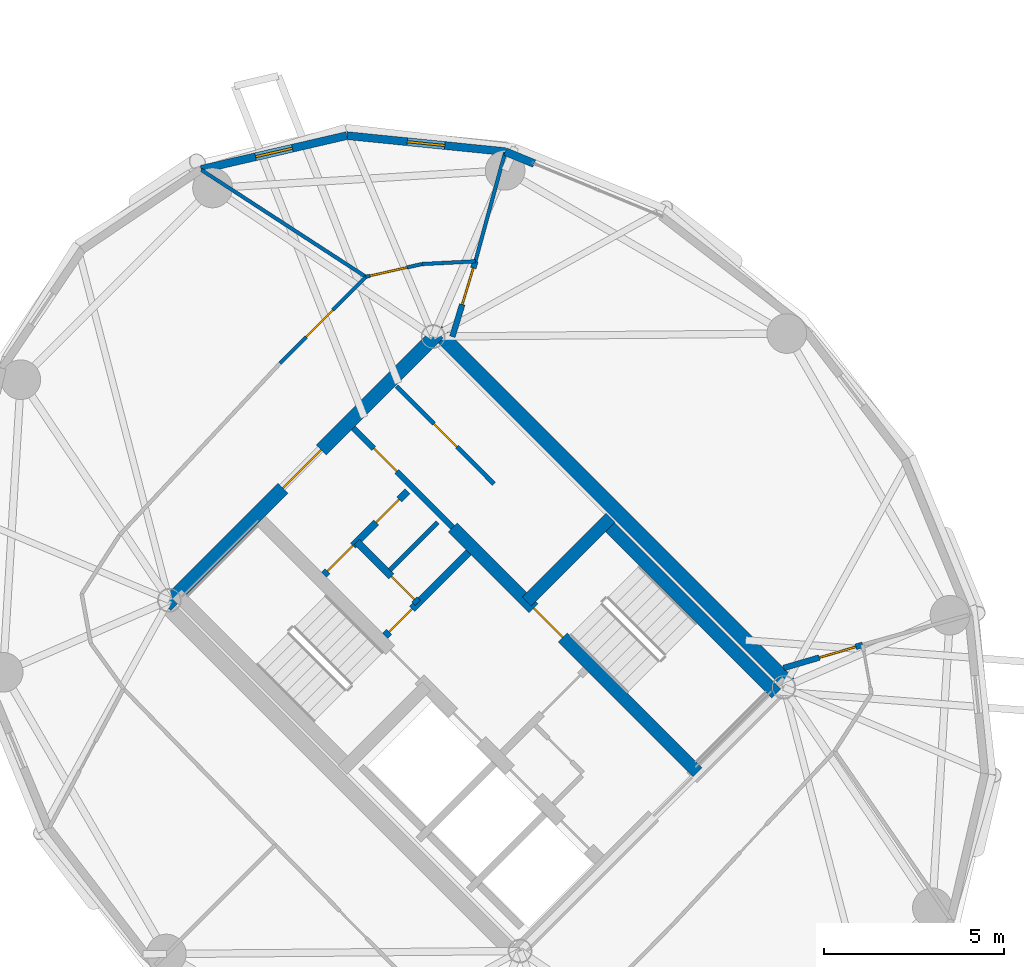
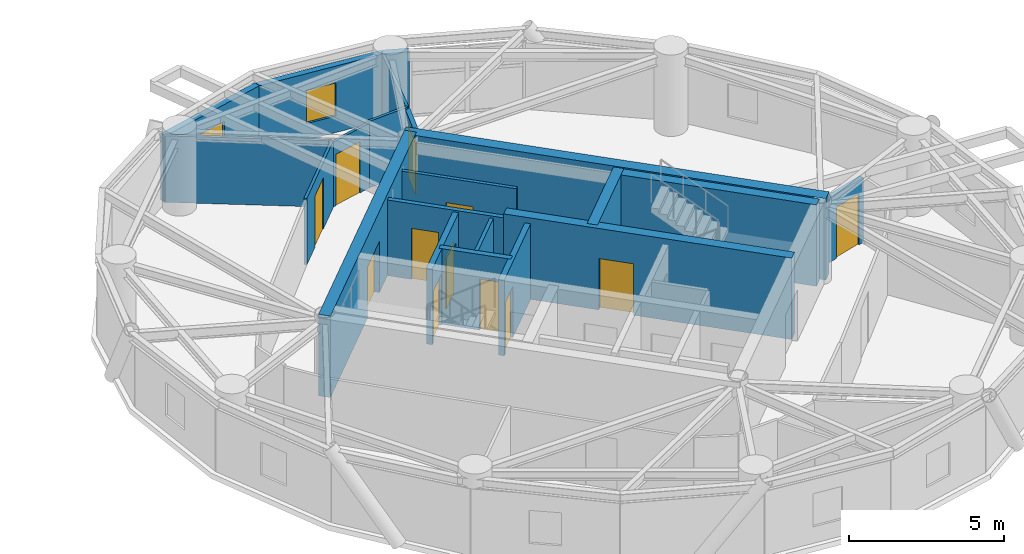
# One storey, part 12 of 15: 21 walls, 12 doors, 2 windows, 14 openings.
"""IFC4 building model written with IfcOpenShell, lengths in metres."""

from ifc_helpers import new_model, si_unit, direction, frame, frame_2d, origin, place, context, subcontext, project, spatial, rectangle, extrude, source, transform, mapped, material, layer, layer_set, type_object, element, fill, save


model = new_model("IFC4")

# Units and contexts
model_context = context("Model", 3, precision=1e-05, world=origin(), true_north=direction((0.0, 1.0)))
body_context = subcontext(model_context, "Body", "Model", "MODEL_VIEW")
ifc_project = project(units=[si_unit("LENGTHUNIT", "METRE"), si_unit("AREAUNIT", "SQUARE_METRE"), si_unit("VOLUMEUNIT", "CUBIC_METRE"), si_unit("PLANEANGLEUNIT", "RADIAN"), si_unit("MASSUNIT", "GRAM", prefix="KILO")], contexts=[model_context])

# Site, building, storey
site_placement = place(None, origin())
site = spatial("IfcSite", under=ifc_project, at=site_placement, CompositionType="ELEMENT")
building_placement = place(site_placement, origin())
building = spatial("IfcBuilding", under=site, at=building_placement, Name="Cununo Teusaquillo Station Towers", CompositionType="ELEMENT")
storey_placement = place(building_placement, frame((0.0, 0.0, 229.25)))
storey = spatial("IfcBuildingStorey", under=building, at=storey_placement, Name="L73", CompositionType="ELEMENT", Elevation=229.25)

# Wall, opening, door
ifc_material_1 = material(Name="Concrete C50/60", Category="concrete")
ifc_layer_1 = layer(ifc_material_1, 0.35009765625)
ifc_layer_set_1 = layer_set([ifc_layer_1], Name="Concrete C50/60")
wall_type_1 = type_object("IfcWallType", Name="WL-CORE-350", PredefinedType="SHEAR", material=ifc_layer_set_1)
wall_1_placement = place(storey_placement, frame((63.627197265625, 20.939697265625, 0.0), z_axis=(0.0, 0.0, 1.0), x_axis=(-0.707119496762, 0.707094065383, 0.0)))
wall_1 = element("IfcWall", 1, at=wall_1_placement, inside=storey, type_object=wall_type_1, Name="L73 Tower B Core Shear Wall IE", PredefinedType="SHEAR", context=body_context, shape_type="SweptSolid", body=[
    extrude(rectangle(XDim=9.60009765625, YDim=0.35009765625, at=frame_2d((4.800048828125, 0.0))), origin(), (0.0, 0.0, 1.0), 3.199951171875),
])
shared_shape_1 = source(origin(), body_context, "Body", "SweptSolid", [
    extrude(rectangle(XDim=1.14990234375, YDim=2.02001953125, at=frame_2d((0.574951171875, 1.010009765625))), frame((0.0, 0.18505859375, 0.0), z_axis=(0.0, -1.0, 0.0), x_axis=(1.0, 0.0, 0.0)), (0.0, 0.0, 1.0), 0.3701171875),
])
opening_1_placement = place(wall_1_placement, frame((5.280029296875, 0.0, 0.0)))
opening_1 = element("IfcOpeningElement", 2, at=opening_1_placement, cuts=wall_1, Name="Opening D-ST1", PredefinedType="OPENING", context=body_context, shape_type="MappedRepresentation", body=[
    mapped(shared_shape_1, transform((0.0, 0.0, 0.0), x_axis=(1.0, 0.0, 0.0), y_axis=(0.0, 1.0, 0.0), z_axis=(0.0, 0.0, 1.0), scale=1.0)),
])
ifc_material_2 = material(Name="Galvanised fire-rated hollow steel door assembly", Category="steel")
door_type_1 = type_object("IfcDoorType", Name="DR-STAIR-1150", OperationType="NOTDEFINED", PredefinedType="DOOR", material=ifc_material_2)
shared_shape_2 = source(origin(), body_context, "Body", "SweptSolid", [
    extrude(rectangle(XDim=1.14990234375, YDim=2.02001953125, at=frame_2d((0.574951171875, 1.010009765625))), frame((0.0, 0.02490234375, 0.0), z_axis=(0.0, -1.0, 0.0), x_axis=(1.0, 0.0, 0.0)), (0.0, 0.0, 1.0), 0.050048828125),
])
door_1_placement = place(opening_1_placement, origin())
door_1 = element("IfcDoor", 3, at=door_1_placement, inside=storey, type_object=door_type_1, Name="L73 Tower B Exit Stair 2 Fire Door", OperationType="SINGLE_SWING_LEFT", OverallHeight=2.02001953125, OverallWidth=1.14990234375, PredefinedType="DOOR", context=body_context, shape_type="MappedRepresentation", body=[
    mapped(shared_shape_2, transform((0.0, 0.0, 0.0), x_axis=(1.0, 0.0, 0.0), y_axis=(0.0, 1.0, 0.0), z_axis=(0.0, 0.0, 1.0), scale=1.0)),
])
fill(opening_1, door_1)

# Walls
wall_2_placement = place(storey_placement, frame((65.81201171875, 23.124755859375, 0.0), z_axis=(0.0, 0.0, 1.0), x_axis=(-0.707106781187, 0.707106781187, 0.0)))
element("IfcWall", 4, at=wall_2_placement, inside=storey, type_object=wall_type_1, Name="L73 Tower B Core Shear Wall ST2E", PredefinedType="SHEAR", context=body_context, shape_type="SweptSolid", body=[
    extrude(rectangle(XDim=6.695068359375, YDim=0.35009765625, at=frame_2d((3.34765625, 0.0))), origin(), (0.0, 0.0, 1.0), 3.199951171875),
])
wall_3_placement = place(storey_placement, frame((58.89306640625, 25.673828125, 0.0), z_axis=(0.0, 0.0, 1.0), x_axis=(0.707106781187, 0.707106781187, 0.0)))
element("IfcWall", 5, at=wall_3_placement, inside=storey, type_object=wall_type_1, Name="L73 Tower B Core Shear Wall ST2N", PredefinedType="SHEAR", context=body_context, shape_type="SweptSolid", body=[
    extrude(rectangle(XDim=3.284912109375, YDim=0.35009765625, at=frame_2d((1.642578125, 0.0))), origin(), (0.0, 0.0, 1.0), 3.199951171875),
])
ifc_material_3 = material(Name="Concrete C50/60", Category="concrete")
ifc_layer_2 = layer(ifc_material_3, 0.39990234375)
ifc_layer_set_2 = layer_set([ifc_layer_2], Name="Concrete C50/60")
wall_type_2 = type_object("IfcWallType", Name="WL-CORE-400", PredefinedType="SHEAR", material=ifc_layer_set_2)
wall_4_placement = place(storey_placement, frame((66.26806640625, 23.2978515625, 0.0), z_axis=(0.0, 0.0, 1.0), x_axis=(-0.707106781187, 0.707106781187, 0.0)))
element("IfcWall", 6, at=wall_4_placement, inside=storey, type_object=wall_type_2, Name="L73 Tower B Core Shear Wall E", PredefinedType="SHEAR", context=body_context, shape_type="SweptSolid", body=[
    extrude(rectangle(XDim=14.10009765625, YDim=0.39990234375, at=frame_2d((7.050048828125, 0.0))), origin(), (0.0, 0.0, 1.0), 3.199951171875),
])

# Wall, opening, door
wall_5_placement = place(storey_placement, frame((48.873291015625, 25.560791015625, 0.0), z_axis=(0.0, 0.0, 1.0), x_axis=(0.707106781187, 0.707106781187, 0.0)))
wall_5 = element("IfcWall", 7, at=wall_5_placement, inside=storey, type_object=wall_type_2, Name="L73 Tower B Core Shear Wall N", PredefinedType="SHEAR", context=body_context, shape_type="SweptSolid", body=[
    extrude(rectangle(XDim=10.69970703125, YDim=0.39990234375, at=frame_2d((5.349853515625, 0.0))), origin(), (0.0, 0.0, 1.0), 3.199951171875),
])
shared_shape_3 = source(origin(), body_context, "Body", "SweptSolid", [
    extrude(rectangle(XDim=1.5, YDim=2.02001953125, at=frame_2d((0.75, 1.010009765625))), frame((0.0, 0.2099609375, 0.0), z_axis=(0.0, -1.0, 0.0), x_axis=(1.0, 0.0, 0.0)), (0.0, 0.0, 1.0), 0.419921875),
])
opening_2_placement = place(wall_5_placement, frame((4.60009765625, 0.0, 0.0)))
opening_2 = element("IfcOpeningElement", 8, at=opening_2_placement, cuts=wall_5, Name="Opening D-LB1", PredefinedType="OPENING", context=body_context, shape_type="MappedRepresentation", body=[
    mapped(shared_shape_3, transform((0.0, 0.0, 0.0), x_axis=(1.0, 0.0, 0.0), y_axis=(0.0, 1.0, 0.0), z_axis=(0.0, 0.0, 1.0), scale=1.0)),
])
ifc_material_4 = material(Name="Galvanised fire-rated hollow steel door assembly", Category="steel")
door_type_2 = type_object("IfcDoorType", Name="DR-LOBBY-1500", OperationType="DOUBLE_DOOR_SINGLE_SWING", PredefinedType="DOOR", material=ifc_material_4)
shared_shape_4 = source(origin(), body_context, "Body", "SweptSolid", [
    extrude(rectangle(XDim=1.5, YDim=2.02001953125, at=frame_2d((0.75, 1.010009765625))), frame((0.0, 0.02490234375, 0.0), z_axis=(0.0, -1.0, 0.0), x_axis=(1.0, 0.0, 0.0)), (0.0, 0.0, 1.0), 0.050048828125),
])
door_2_placement = place(opening_2_placement, origin())
door_2 = element("IfcDoor", 9, at=door_2_placement, inside=storey, type_object=door_type_2, Name="L73 Tower B North Core Lift Lobby Door", OperationType="DOUBLE_DOOR_SINGLE_SWING", OverallHeight=2.02001953125, OverallWidth=1.5, PredefinedType="DOOR", context=body_context, shape_type="MappedRepresentation", body=[
    mapped(shared_shape_4, transform((0.0, 0.0, 0.0), x_axis=(1.0, 0.0, 0.0), y_axis=(0.0, 1.0, 0.0), z_axis=(0.0, 0.0, 1.0), scale=1.0)),
])
fill(opening_2, door_2)

# Wall
ifc_material_5 = material(Name="Precast concrete C40/50", Category="concrete")
ifc_layer_3 = layer(ifc_material_5, 0.219970703125)
ifc_layer_set_3 = layer_set([ifc_layer_3], Name="Precast concrete C40/50")
wall_type_3 = type_object("IfcWallType", Name="WL-EXT-220", PredefinedType="SOLIDWALL", material=ifc_layer_set_3)
wall_6_placement = place(storey_placement, frame((58.29541015625, 38.15478515625, 0.0), z_axis=(0.0, 0.0, 1.0), x_axis=(0.924515260676, -0.381145028536, 0.0)))
element("IfcWall", 10, at=wall_6_placement, inside=storey, type_object=wall_type_3, Name="L73 Tower B Column Pier Cladding Wall C01-PA", PredefinedType="SOLIDWALL", context=body_context, shape_type="SweptSolid", body=[
    extrude(rectangle(XDim=0.869873046875, YDim=0.219970703125, at=frame_2d((0.43505859375, 0.0))), origin(), (0.0, 0.0, 1.0), 2.612060546875),
])

# Wall, opening, window
wall_7_placement = place(storey_placement, frame((53.899658203125, 38.59912109375, 0.0), z_axis=(0.0, 0.0, 1.0), x_axis=(0.994929930991, -0.100570534541, 0.0)))
wall_7 = element("IfcWall", 11, at=wall_7_placement, inside=storey, type_object=wall_type_3, Name="L73 Tower B Exterior Facade Wall C02", PredefinedType="SOLIDWALL", context=body_context, shape_type="SweptSolid", body=[
    extrude(rectangle(XDim=4.418212890625, YDim=0.219970703125, at=frame_2d((2.208984375, 0.0))), origin(), (0.0, 0.0, 1.0), 2.612060546875),
])
shared_shape_5 = source(origin(), body_context, "Body", "SweptSolid", [
    extrude(rectangle(XDim=1.050048828125, YDim=1.300048828125, at=frame_2d((0.52490234375, 0.64990234375))), frame((0.0, 0.119873046875, 0.0), z_axis=(0.0, -1.0, 0.0), x_axis=(1.0, 0.0, 0.0)), (0.0, 0.0, 1.0), 0.239990234375),
])
opening_3_placement = place(wall_7_placement, frame((1.68408203125, 0.0, 0.64990234375)))
opening_3 = element("IfcOpeningElement", 12, at=opening_3_placement, cuts=wall_7, Name="Opening WN-04", PredefinedType="OPENING", context=body_context, shape_type="MappedRepresentation", body=[
    mapped(shared_shape_5, transform((0.0, 0.0, 0.0), x_axis=(1.0, 0.0, 0.0), y_axis=(0.0, 1.0, 0.0), z_axis=(0.0, 0.0, 1.0), scale=1.0)),
])
ifc_material_6 = material(Name="Operable acoustic tinted low-E double glazing", Category="glass")
window_type = type_object("IfcWindowType", Name="WIN-BAL-1050", PartitioningType="SINGLE_PANEL", PredefinedType="WINDOW", material=ifc_material_6)
shared_shape_6 = source(origin(), body_context, "Body", "SweptSolid", [
    extrude(rectangle(XDim=1.050048828125, YDim=1.300048828125, at=frame_2d((0.52490234375, 0.64990234375))), frame((0.0, 0.030029296875, 0.0), z_axis=(0.0, -1.0, 0.0), x_axis=(1.0, 0.0, 0.0)), (0.0, 0.0, 1.0), 0.06005859375),
])
window_1_placement = place(opening_3_placement, origin())
window_1 = element("IfcWindow", 13, at=window_1_placement, inside=storey, type_object=window_type, Name="L73 Tower B Facade Window C02", OverallHeight=1.300048828125, OverallWidth=1.050048828125, PartitioningType="SINGLE_PANEL", PredefinedType="WINDOW", context=body_context, shape_type="MappedRepresentation", body=[
    mapped(shared_shape_6, transform((0.0, 0.0, 0.0), x_axis=(1.0, 0.0, 0.0), y_axis=(0.0, 1.0, 0.0), z_axis=(0.0, 0.0, 1.0), scale=1.0)),
])
fill(opening_3, window_1)

wall_8_placement = place(storey_placement, frame((49.856201171875, 37.663330078125, 0.0), z_axis=(0.0, 0.0, 1.0), x_axis=(0.974249228678, 0.225473813158, 0.0)))
wall_8 = element("IfcWall", 14, at=wall_8_placement, inside=storey, type_object=wall_type_3, Name="L73 Tower B Exterior Facade Wall C03", PredefinedType="SOLIDWALL", context=body_context, shape_type="SweptSolid", body=[
    extrude(rectangle(XDim=4.150390625, YDim=0.219970703125, at=frame_2d((2.0751953125, 0.0))), origin(), (0.0, 0.0, 1.0), 2.612060546875),
])
opening_4_placement = place(wall_8_placement, frame((1.550048828125, 0.0, 0.64990234375)))
opening_4 = element("IfcOpeningElement", 15, at=opening_4_placement, cuts=wall_8, Name="Opening WN-04", PredefinedType="OPENING", context=body_context, shape_type="MappedRepresentation", body=[
    mapped(shared_shape_5, transform((0.0, 0.0, 0.0), x_axis=(1.0, 0.0, 0.0), y_axis=(0.0, 1.0, 0.0), z_axis=(0.0, 0.0, 1.0), scale=1.0)),
])
window_2_placement = place(opening_4_placement, origin())
window_2 = element("IfcWindow", 16, at=window_2_placement, inside=storey, type_object=window_type, Name="L73 Tower B Facade Window C03", OverallHeight=1.300048828125, OverallWidth=1.050048828125, PartitioningType="SINGLE_PANEL", PredefinedType="WINDOW", context=body_context, shape_type="MappedRepresentation", body=[
    mapped(shared_shape_6, transform((0.0, 0.0, 0.0), x_axis=(1.0, 0.0, 0.0), y_axis=(0.0, 1.0, 0.0), z_axis=(0.0, 0.0, 1.0), scale=1.0)),
])
fill(opening_4, window_2)

# Wall
ifc_material_7 = material(Name="Fire-rated gypsum plasterboard partition assembly", Category="gypsum")
ifc_layer_4 = layer(ifc_material_7, 0.10009765625)
ifc_layer_set_4 = layer_set([ifc_layer_4], Name="Fire-rated gypsum plasterboard partition assembly")
wall_type_4 = type_object("IfcWallType", Name="WL-PART-100", PredefinedType="MOVABLE", material=ifc_layer_set_4)
wall_9_placement = place(storey_placement, frame((57.466796875, 35.111328125, 0.0), z_axis=(0.0, 0.0, 1.0), x_axis=(-0.998691757323, -0.051134859488, 0.0)))
element("IfcWall", 17, at=wall_9_placement, inside=storey, type_object=wall_type_4, Name="L73 Tower B Corridor Ring Wall C02", PredefinedType="MOVABLE", context=body_context, shape_type="SweptSolid", body=[
    extrude(rectangle(XDim=1.48486328125, YDim=0.10009765625, at=frame_2d((0.742431640625, 0.0))), origin(), (0.0, 0.0, 1.0), 2.612060546875),
])

# Wall, opening, door
wall_10_placement = place(storey_placement, frame((55.98388671875, 35.035400390625, 0.0), z_axis=(0.0, 0.0, 1.0), x_axis=(-0.975290305708, -0.22092718165, 0.0)))
wall_10 = element("IfcWall", 18, at=wall_10_placement, inside=storey, type_object=wall_type_4, Name="L73 Tower B Corridor Ring Wall C03", PredefinedType="MOVABLE", context=body_context, shape_type="SweptSolid", body=[
    extrude(rectangle(XDim=1.596923828125, YDim=0.10009765625, at=frame_2d((0.79833984375, 0.0))), origin(), (0.0, 0.0, 1.0), 2.544921875),
])
shared_shape_7 = source(origin(), body_context, "Body", "SweptSolid", [
    extrude(rectangle(XDim=1.050048828125, YDim=2.014892578125, at=frame_2d((0.52490234375, 1.00732421875))), frame((0.0, 0.06005859375, 0.0), z_axis=(0.0, -1.0, 0.0), x_axis=(1.0, 0.0, 0.0)), (0.0, 0.0, 1.0), 0.1201171875),
])
opening_5_placement = place(wall_10_placement, frame((0.4267578125, 0.0, 0.0)))
opening_5 = element("IfcOpeningElement", 19, at=opening_5_placement, cuts=wall_10, Name="Opening D-SU1", PredefinedType="OPENING", context=body_context, shape_type="MappedRepresentation", body=[
    mapped(shared_shape_7, transform((0.0, 0.0, 0.0), x_axis=(1.0, 0.0, 0.0), y_axis=(0.0, 1.0, 0.0), z_axis=(0.0, 0.0, 1.0), scale=1.0)),
])
ifc_material_8 = material(Name="Acoustic solid-core hardwood leaf assembly", Category="wood")
door_type_3 = type_object("IfcDoorType", Name="DR-SUITE-1050", OperationType="NOTDEFINED", PredefinedType="DOOR", material=ifc_material_8)
shared_shape_8 = source(origin(), body_context, "Body", "SweptSolid", [
    extrude(rectangle(XDim=1.050048828125, YDim=2.014892578125, at=frame_2d((0.52490234375, 1.00732421875))), frame((0.0, 0.02490234375, 0.0), z_axis=(0.0, -1.0, 0.0), x_axis=(1.0, 0.0, 0.0)), (0.0, 0.0, 1.0), 0.050048828125),
])
door_3_placement = place(opening_5_placement, origin())
door_3 = element("IfcDoor", 20, at=door_3_placement, inside=storey, type_object=door_type_3, Name="L73 Tower B Observatory Ticket & Audio Desk Entrance Door", OperationType="SINGLE_SWING_LEFT", OverallHeight=2.014892578125, OverallWidth=1.050048828125, PredefinedType="DOOR", context=body_context, shape_type="MappedRepresentation", body=[
    mapped(shared_shape_8, transform((0.0, 0.0, 0.0), x_axis=(1.0, 0.0, 0.0), y_axis=(0.0, 1.0, 0.0), z_axis=(0.0, 0.0, 1.0), scale=1.0)),
])
fill(opening_5, door_3)

wall_11_placement = place(storey_placement, frame((54.426513671875, 34.6826171875, 0.0), z_axis=(0.0, 0.0, 1.0), x_axis=(-0.704178989986, -0.710022499687, 0.0)))
wall_11 = element("IfcWall", 21, at=wall_11_placement, inside=storey, type_object=wall_type_4, Name="L73 Tower B Corridor Ring Wall C04", PredefinedType="MOVABLE", context=body_context, shape_type="SweptSolid", body=[
    extrude(rectangle(XDim=3.38427734375, YDim=0.10009765625, at=frame_2d((1.692138671875, 0.0))), origin(), (0.0, 0.0, 1.0), 2.612060546875),
])
opening_6_placement = place(wall_11_placement, frame((1.2978515625, 0.0, 0.0)))
opening_6 = element("IfcOpeningElement", 22, at=opening_6_placement, cuts=wall_11, Name="Opening D-SU1", PredefinedType="OPENING", context=body_context, shape_type="MappedRepresentation", body=[
    mapped(shared_shape_7, transform((0.0, 0.0, 0.0), x_axis=(1.0, 0.0, 0.0), y_axis=(0.0, 1.0, 0.0), z_axis=(0.0, 0.0, 1.0), scale=1.0)),
])
door_4_placement = place(opening_6_placement, origin())
door_4 = element("IfcDoor", 23, at=door_4_placement, inside=storey, type_object=door_type_3, Name="L73 Tower B North Bogota Sabana Viewing Gallery Entrance Door", OperationType="SINGLE_SWING_RIGHT", OverallHeight=2.014892578125, OverallWidth=1.050048828125, PredefinedType="DOOR", context=body_context, shape_type="MappedRepresentation", body=[
    mapped(shared_shape_8, transform((0.0, 0.0, 0.0), x_axis=(1.0, 0.0, 0.0), y_axis=(0.0, 1.0, 0.0), z_axis=(0.0, 0.0, 1.0), scale=1.0)),
])
fill(opening_6, door_4)

# Walls
wall_12_placement = place(storey_placement, frame((57.466796875, 35.111328125, 0.0), z_axis=(0.0, 0.0, 1.0), x_axis=(0.263354670488, 0.964699081337, 0.0)))
element("IfcWall", 24, at=wall_12_placement, inside=storey, type_object=wall_type_4, Name="L73 Tower B Radial Suite Partition R01", PredefinedType="MOVABLE", context=body_context, shape_type="SweptSolid", body=[
    extrude(rectangle(XDim=3.13427734375, YDim=0.10009765625, at=frame_2d((1.567138671875, 0.0))), origin(), (0.0, 0.0, 1.0), 2.612060546875),
])
wall_13_placement = place(storey_placement, frame((54.426513671875, 34.6826171875, 0.0), z_axis=(0.0, 0.0, 1.0), x_axis=(-0.83860663594, 0.544737469023, 0.0)))
element("IfcWall", 25, at=wall_13_placement, inside=storey, type_object=wall_type_4, Name="L73 Tower B Radial Suite Partition R02", PredefinedType="MOVABLE", context=body_context, shape_type="SweptSolid", body=[
    extrude(rectangle(XDim=5.439208984375, YDim=0.10009765625, at=frame_2d((2.7197265625, 0.0))), origin(), (0.0, 0.0, 1.0), 2.612060546875),
])
ifc_material_9 = material(Name="Fire-rated gypsum plasterboard partition assembly", Category="gypsum")
ifc_layer_5 = layer(ifc_material_9, 0.125)
ifc_layer_set_5 = layer_set([ifc_layer_5], Name="Fire-rated gypsum plasterboard partition assembly")
wall_type_5 = type_object("IfcWallType", Name="WL-PART-125", PredefinedType="PARTITIONING", material=ifc_layer_set_5)
wall_14_placement = place(storey_placement, frame((55.0888671875, 26.54345703125, 0.0), z_axis=(0.0, 0.0, 1.0), x_axis=(0.707106781187, 0.707106781187, 0.0)))
element("IfcWall", 26, at=wall_14_placement, inside=storey, type_object=wall_type_5, Name="L73 Tower B Core Horizontal Split Wall", PredefinedType="PARTITIONING", context=body_context, shape_type="SweptSolid", body=[
    extrude(rectangle(XDim=1.8798828125, YDim=0.125, at=frame_2d((0.93994140625, 0.0))), origin(), (0.0, 0.0, 1.0), 2.97509765625),
])

# Wall, opening, door
wall_15_placement = place(storey_placement, frame((57.980712890625, 28.940673828125, 0.0), z_axis=(0.0, 0.0, 1.0), x_axis=(-0.707074823725, 0.707138737204, 0.0)))
wall_15 = element("IfcWall", 27, at=wall_15_placement, inside=storey, type_object=wall_type_5, Name="L73 Tower B Reclaimed Bay Vertical Split Wall", PredefinedType="PARTITIONING", context=body_context, shape_type="SweptSolid", body=[
    extrude(rectangle(XDim=3.81982421875, YDim=0.125, at=frame_2d((1.909912109375, 0.0))), origin(), (0.0, 0.0, 1.0), 2.97509765625),
])
shared_shape_9 = source(origin(), body_context, "Body", "SweptSolid", [
    extrude(rectangle(XDim=0.89990234375, YDim=2.0048828125, at=frame_2d((0.449951171875, 1.00244140625))), frame((0.0, 0.072509765625, 0.0), z_axis=(0.0, -1.0, 0.0), x_axis=(1.0, 0.0, 0.0)), (0.0, 0.0, 1.0), 0.14501953125),
])
opening_7_placement = place(wall_15_placement, frame((1.449951171875, 0.0, 0.0)))
opening_7 = element("IfcOpeningElement", 28, at=opening_7_placement, cuts=wall_15, Name="Opening D-IN1", PredefinedType="OPENING", context=body_context, shape_type="MappedRepresentation", body=[
    mapped(shared_shape_9, transform((0.0, 0.0, 0.0), x_axis=(1.0, 0.0, 0.0), y_axis=(0.0, 1.0, 0.0), z_axis=(0.0, 0.0, 1.0), scale=1.0)),
])
ifc_material_10 = material(Name="Acoustic solid-core hardwood leaf assembly", Category="wood")
door_type_4 = type_object("IfcDoorType", Name="DR-INT-900", OperationType="NOTDEFINED", PredefinedType="DOOR", material=ifc_material_10)
shared_shape_10 = source(origin(), body_context, "Body", "SweptSolid", [
    extrude(rectangle(XDim=0.89990234375, YDim=2.0048828125, at=frame_2d((0.449951171875, 1.00244140625))), frame((0.0, 0.02490234375, 0.0), z_axis=(0.0, -1.0, 0.0), x_axis=(1.0, 0.0, 0.0)), (0.0, 0.0, 1.0), 0.050048828125),
])
door_5_placement = place(opening_7_placement, origin())
door_5 = element("IfcDoor", 29, at=door_5_placement, inside=storey, type_object=door_type_4, Name="L73 Tower B Reclaimed Acoustic Booth Door", OperationType="SINGLE_SWING_RIGHT", OverallHeight=2.0048828125, OverallWidth=0.89990234375, PredefinedType="DOOR", context=body_context, shape_type="MappedRepresentation", body=[
    mapped(shared_shape_10, transform((0.0, 0.0, 0.0), x_axis=(1.0, 0.0, 0.0), y_axis=(0.0, 1.0, 0.0), z_axis=(0.0, 0.0, 1.0), scale=1.0)),
])
fill(opening_7, door_5)

ifc_material_11 = material(Name="Fire-rated gypsum plasterboard partition assembly", Category="gypsum")
ifc_layer_6 = layer(ifc_material_11, 0.159912109375)
ifc_layer_set_6 = layer_set([ifc_layer_6], Name="Fire-rated gypsum plasterboard partition assembly")
wall_type_6 = type_object("IfcWallType", Name="WL-PART-160", PredefinedType="PARTITIONING", material=ifc_layer_set_6)
wall_16_placement = place(storey_placement, frame((56.8388671875, 27.727783203125, 0.0), z_axis=(0.0, 0.0, 1.0), x_axis=(-0.707106781187, 0.707106781187, 0.0)))
wall_16 = element("IfcWall", 30, at=wall_16_placement, inside=storey, type_object=wall_type_6, Name="L73 Tower B Reclaimed Core Bay Entry Wall", PredefinedType="PARTITIONING", context=body_context, shape_type="SweptSolid", body=[
    extrude(rectangle(XDim=3.900146484375, YDim=0.159912109375, at=frame_2d((1.9501953125, 0.0))), origin(), (0.0, 0.0, 1.0), 2.97509765625),
])
shared_shape_11 = source(origin(), body_context, "Body", "SweptSolid", [
    extrude(rectangle(XDim=0.89990234375, YDim=2.0048828125, at=frame_2d((0.449951171875, 1.00244140625))), frame((0.0, 0.08984375, 0.0), z_axis=(0.0, -1.0, 0.0), x_axis=(1.0, 0.0, 0.0)), (0.0, 0.0, 1.0), 0.179931640625),
])
opening_8_placement = place(wall_16_placement, frame((2.199951171875, 0.0, 0.0)))
opening_8 = element("IfcOpeningElement", 31, at=opening_8_placement, cuts=wall_16, Name="Opening D-IN1", PredefinedType="OPENING", context=body_context, shape_type="MappedRepresentation", body=[
    mapped(shared_shape_11, transform((0.0, 0.0, 0.0), x_axis=(1.0, 0.0, 0.0), y_axis=(0.0, 1.0, 0.0), z_axis=(0.0, 0.0, 1.0), scale=1.0)),
])
door_6_placement = place(opening_8_placement, origin())
door_6 = element("IfcDoor", 32, at=door_6_placement, inside=storey, type_object=door_type_4, Name="L73 Tower B Reclaimed Meeting Room Door", OperationType="SINGLE_SWING_LEFT", OverallHeight=2.0048828125, OverallWidth=0.89990234375, PredefinedType="DOOR", context=body_context, shape_type="MappedRepresentation", body=[
    mapped(shared_shape_10, transform((0.0, 0.0, 0.0), x_axis=(1.0, 0.0, 0.0), y_axis=(0.0, 1.0, 0.0), z_axis=(0.0, 0.0, 1.0), scale=1.0)),
])
fill(opening_8, door_6)

wall_17_placement = place(storey_placement, frame((56.828125, 33.0205078125, 0.0), z_axis=(0.0, 0.0, 1.0), x_axis=(0.292139093972, 0.956375841274, 0.0)))
wall_17 = element("IfcWall", 33, at=wall_17_placement, inside=storey, type_object=wall_type_6, Name="L73 Tower B East Salon Corridor Portal Wall NE", PredefinedType="PARTITIONING", context=body_context, shape_type="SweptSolid", body=[
    extrude(rectangle(XDim=2.186279296875, YDim=0.159912109375, at=frame_2d((1.09326171875, 0.0))), origin(), (0.0, 0.0, 1.0), 2.544921875),
])
shared_shape_12 = source(origin(), body_context, "Body", "SweptSolid", [
    extrude(rectangle(XDim=1.050048828125, YDim=2.014892578125, at=frame_2d((0.52490234375, 1.00732421875))), frame((0.0, 0.08984375, 0.0), z_axis=(0.0, -1.0, 0.0), x_axis=(1.0, 0.0, 0.0)), (0.0, 0.0, 1.0), 0.179931640625),
])
opening_9_placement = place(wall_17_placement, frame((0.93603515625, 0.0, 0.0)))
opening_9 = element("IfcOpeningElement", 34, at=opening_9_placement, cuts=wall_17, Name="Opening D-SU1", PredefinedType="OPENING", context=body_context, shape_type="MappedRepresentation", body=[
    mapped(shared_shape_12, transform((0.0, 0.0, 0.0), x_axis=(1.0, 0.0, 0.0), y_axis=(0.0, 1.0, 0.0), z_axis=(0.0, 0.0, 1.0), scale=1.0)),
])
door_7_placement = place(opening_9_placement, origin())
door_7 = element("IfcDoor", 35, at=door_7_placement, inside=storey, type_object=door_type_3, Name="L73 Tower B East Panorama Sky Salon Door NE", OperationType="SINGLE_SWING_LEFT", OverallHeight=2.014892578125, OverallWidth=1.050048828125, PredefinedType="DOOR", context=body_context, shape_type="MappedRepresentation", body=[
    mapped(shared_shape_8, transform((0.0, 0.0, 0.0), x_axis=(1.0, 0.0, 0.0), y_axis=(0.0, 1.0, 0.0), z_axis=(0.0, 0.0, 1.0), scale=1.0)),
])
fill(opening_9, door_7)

wall_18_placement = place(storey_placement, frame((66.0205078125, 23.828125, 0.0), z_axis=(0.0, 0.0, 1.0), x_axis=(0.959727558294, 0.280932400856, 0.0)))
wall_18 = element("IfcWall", 36, at=wall_18_placement, inside=storey, type_object=wall_type_6, Name="L73 Tower B East Salon Corridor Portal Wall SE", PredefinedType="PARTITIONING", context=body_context, shape_type="SweptSolid", body=[
    extrude(rectangle(XDim=2.281982421875, YDim=0.159912109375, at=frame_2d((1.14111328125, 0.0))), origin(), (0.0, 0.0, 1.0), 2.544921875),
])
opening_10_placement = place(wall_18_placement, frame((1.031982421875, 0.0, 0.0)))
opening_10 = element("IfcOpeningElement", 37, at=opening_10_placement, cuts=wall_18, Name="Opening D-SU1", PredefinedType="OPENING", context=body_context, shape_type="MappedRepresentation", body=[
    mapped(shared_shape_12, transform((0.0, 0.0, 0.0), x_axis=(1.0, 0.0, 0.0), y_axis=(0.0, 1.0, 0.0), z_axis=(0.0, 0.0, 1.0), scale=1.0)),
])
door_8_placement = place(opening_10_placement, origin())
door_8 = element("IfcDoor", 38, at=door_8_placement, inside=storey, type_object=door_type_3, Name="L73 Tower B East Panorama Sky Salon Door SE", OperationType="SINGLE_SWING_RIGHT", OverallHeight=2.014892578125, OverallWidth=1.050048828125, PredefinedType="DOOR", context=body_context, shape_type="MappedRepresentation", body=[
    mapped(shared_shape_8, transform((0.0, 0.0, 0.0), x_axis=(1.0, 0.0, 0.0), y_axis=(0.0, 1.0, 0.0), z_axis=(0.0, 0.0, 1.0), scale=1.0)),
])
fill(opening_10, door_8)

ifc_material_12 = material(Name="Fire-rated gypsum plasterboard partition assembly", Category="gypsum")
ifc_layer_7 = layer(ifc_material_12, 0.199951171875)
ifc_layer_set_7 = layer_set([ifc_layer_7], Name="Fire-rated gypsum plasterboard partition assembly")
wall_type_7 = type_object("IfcWallType", Name="WL-PART-200", PredefinedType="PARTITIONING", material=ifc_layer_set_7)
wall_19_placement = place(storey_placement, frame((54.96142578125, 24.71923828125, 0.0), z_axis=(0.0, 0.0, 1.0), x_axis=(0.707106781187, 0.707106781187, 0.0)))
wall_19 = element("IfcWall", 39, at=wall_19_placement, inside=storey, type_object=wall_type_7, Name="L73 Tower B Firefighting Lift Lobby North Fire Wall", PredefinedType="PARTITIONING", context=body_context, shape_type="SweptSolid", body=[
    extrude(rectangle(XDim=3.280029296875, YDim=0.199951171875, at=frame_2d((1.64013671875, 0.0))), origin(), (0.0, 0.0, 1.0), 2.97509765625),
])
shared_shape_13 = source(origin(), body_context, "Body", "SweptSolid", [
    extrude(rectangle(XDim=0.89990234375, YDim=2.0048828125, at=frame_2d((0.449951171875, 1.00244140625))), frame((0.0, 0.10986328125, 0.0), z_axis=(0.0, -1.0, 0.0), x_axis=(1.0, 0.0, 0.0)), (0.0, 0.0, 1.0), 0.219970703125),
])
opening_11_placement = place(wall_19_placement, frame((0.159912109375, 0.0, 0.0)))
opening_11 = element("IfcOpeningElement", 40, at=opening_11_placement, cuts=wall_19, Name="Opening D-SR1", PredefinedType="OPENING", context=body_context, shape_type="MappedRepresentation", body=[
    mapped(shared_shape_13, transform((0.0, 0.0, 0.0), x_axis=(1.0, 0.0, 0.0), y_axis=(0.0, 1.0, 0.0), z_axis=(0.0, 0.0, 1.0), scale=1.0)),
])
ifc_material_13 = material(Name="Galvanised fire-rated hollow steel door assembly", Category="steel")
door_type_5 = type_object("IfcDoorType", Name="DR-STORE-900", OperationType="NOTDEFINED", PredefinedType="DOOR", material=ifc_material_13)
door_9_placement = place(opening_11_placement, origin())
door_9 = element("IfcDoor", 41, at=door_9_placement, inside=storey, type_object=door_type_5, Name="L73 Tower B Stair 1 Protected Vestibule South Door", OperationType="SINGLE_SWING_RIGHT", OverallHeight=2.0048828125, OverallWidth=0.89990234375, PredefinedType="DOOR", context=body_context, shape_type="MappedRepresentation", body=[
    mapped(shared_shape_10, transform((0.0, 0.0, 0.0), x_axis=(1.0, 0.0, 0.0), y_axis=(0.0, 1.0, 0.0), z_axis=(0.0, 0.0, 1.0), scale=1.0)),
])
fill(opening_11, door_9)

wall_20_placement = place(storey_placement, frame((55.873779296875, 25.63134765625, 0.0), z_axis=(0.0, 0.0, 1.0), x_axis=(-0.707157639372, 0.707055919343, 0.0)))
wall_20 = element("IfcWall", 42, at=wall_20_placement, inside=storey, type_object=wall_type_7, Name="L73 Tower B Stair 1 Vestibule Partition Wall", PredefinedType="PARTITIONING", context=body_context, shape_type="SweptSolid", body=[
    extrude(rectangle(XDim=2.400146484375, YDim=0.199951171875, at=frame_2d((1.2001953125, 0.0))), origin(), (0.0, 0.0, 1.0), 2.97509765625),
])
opening_12_placement = place(wall_20_placement, frame((0.139892578125, 0.0, 0.0)))
opening_12 = element("IfcOpeningElement", 43, at=opening_12_placement, cuts=wall_20, Name="Opening D-SR1", PredefinedType="OPENING", context=body_context, shape_type="MappedRepresentation", body=[
    mapped(shared_shape_13, transform((0.0, 0.0, 0.0), x_axis=(1.0, 0.0, 0.0), y_axis=(0.0, 1.0, 0.0), z_axis=(0.0, 0.0, 1.0), scale=1.0)),
])
door_10_placement = place(opening_12_placement, origin())
door_10 = element("IfcDoor", 44, at=door_10_placement, inside=storey, type_object=door_type_5, Name="L73 Tower B Core Linen Store Door", OperationType="SINGLE_SWING_LEFT", OverallHeight=2.0048828125, OverallWidth=0.89990234375, PredefinedType="DOOR", context=body_context, shape_type="MappedRepresentation", body=[
    mapped(shared_shape_10, transform((0.0, 0.0, 0.0), x_axis=(1.0, 0.0, 0.0), y_axis=(0.0, 1.0, 0.0), z_axis=(0.0, 0.0, 1.0), scale=1.0)),
])
fill(opening_12, door_10)

# Wall, openings, doors
wall_21_placement = place(storey_placement, frame((53.264404296875, 26.416259765625, 0.0), z_axis=(0.0, 0.0, 1.0), x_axis=(0.707106781187, 0.707106781187, 0.0)))
wall_21 = element("IfcWall", 45, at=wall_21_placement, inside=storey, type_object=wall_type_7, Name="L73 Tower B North Lift Lobby South Fire Wall", PredefinedType="PARTITIONING", context=body_context, shape_type="SweptSolid", body=[
    extrude(rectangle(XDim=3.280029296875, YDim=0.199951171875, at=frame_2d((1.64013671875, 0.0))), origin(), (0.0, 0.0, 1.0), 2.97509765625),
])
shared_shape_14 = source(origin(), body_context, "Body", "SweptSolid", [
    extrude(rectangle(XDim=1.0, YDim=2.014892578125, at=frame_2d((0.5, 1.00732421875))), frame((0.0, 0.10986328125, 0.0), z_axis=(0.0, -1.0, 0.0), x_axis=(1.0, 0.0, 0.0)), (0.0, 0.0, 1.0), 0.219970703125),
])
opening_13_placement = place(wall_21_placement, frame((0.139892578125, 0.0, 0.0)))
opening_13 = element("IfcOpeningElement", 46, at=opening_13_placement, cuts=wall_21, Name="Opening D-AC1", PredefinedType="OPENING", context=body_context, shape_type="MappedRepresentation", body=[
    mapped(shared_shape_14, transform((0.0, 0.0, 0.0), x_axis=(1.0, 0.0, 0.0), y_axis=(0.0, 1.0, 0.0), z_axis=(0.0, 0.0, 1.0), scale=1.0)),
])
opening_14_placement = place(wall_21_placement, frame((2.050048828125, 0.0, 0.0)))
opening_14 = element("IfcOpeningElement", 47, at=opening_14_placement, cuts=wall_21, Name="Opening D-SR1", PredefinedType="OPENING", context=body_context, shape_type="MappedRepresentation", body=[
    mapped(shared_shape_13, transform((0.0, 0.0, 0.0), x_axis=(1.0, 0.0, 0.0), y_axis=(0.0, 1.0, 0.0), z_axis=(0.0, 0.0, 1.0), scale=1.0)),
])
door_11_placement = place(opening_14_placement, origin())
door_11 = element("IfcDoor", 48, at=door_11_placement, inside=storey, type_object=door_type_5, Name="L73 Tower B Core Comms Room Door", OperationType="SINGLE_SWING_RIGHT", OverallHeight=2.0048828125, OverallWidth=0.89990234375, PredefinedType="DOOR", context=body_context, shape_type="MappedRepresentation", body=[
    mapped(shared_shape_10, transform((0.0, 0.0, 0.0), x_axis=(1.0, 0.0, 0.0), y_axis=(0.0, 1.0, 0.0), z_axis=(0.0, 0.0, 1.0), scale=1.0)),
])
fill(opening_14, door_11)
ifc_material_14 = material(Name="Acoustic solid-core hardwood leaf assembly", Category="wood")
door_type_6 = type_object("IfcDoorType", Name="DR-ACC-1000", OperationType="NOTDEFINED", PredefinedType="DOOR", material=ifc_material_14)
shared_shape_15 = source(origin(), body_context, "Body", "SweptSolid", [
    extrude(rectangle(XDim=1.0, YDim=2.014892578125, at=frame_2d((0.5, 1.00732421875))), frame((0.0, 0.02490234375, 0.0), z_axis=(0.0, -1.0, 0.0), x_axis=(1.0, 0.0, 0.0)), (0.0, 0.0, 1.0), 0.050048828125),
])
door_12_placement = place(opening_13_placement, origin())
door_12 = element("IfcDoor", 49, at=door_12_placement, inside=storey, type_object=door_type_6, Name="L73 Tower B North Lift Lobby to Stair 1 Vestibule Door", OperationType="SINGLE_SWING_LEFT", OverallHeight=2.014892578125, OverallWidth=1.0, PredefinedType="DOOR", context=body_context, shape_type="MappedRepresentation", body=[
    mapped(shared_shape_15, transform((0.0, 0.0, 0.0), x_axis=(1.0, 0.0, 0.0), y_axis=(0.0, 1.0, 0.0), z_axis=(0.0, 0.0, 1.0), scale=1.0)),
])
fill(opening_13, door_12)

save(model, "model.ifc")
